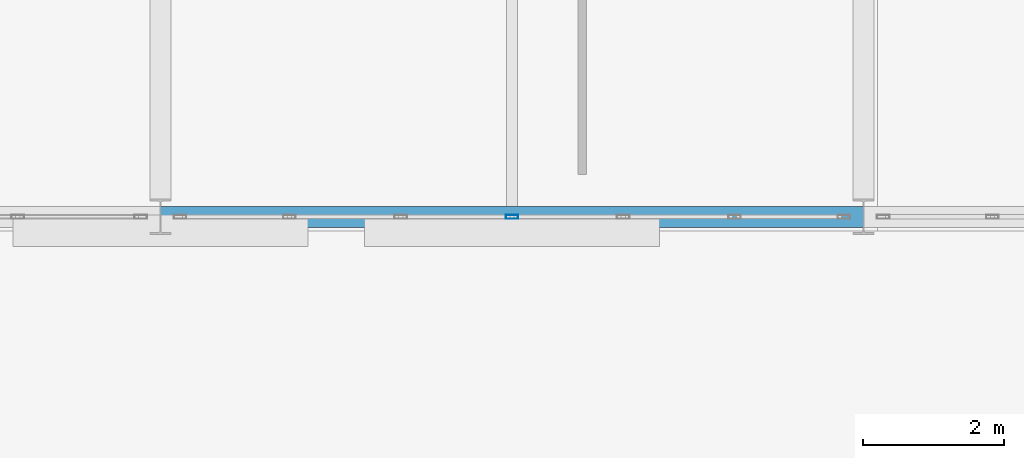
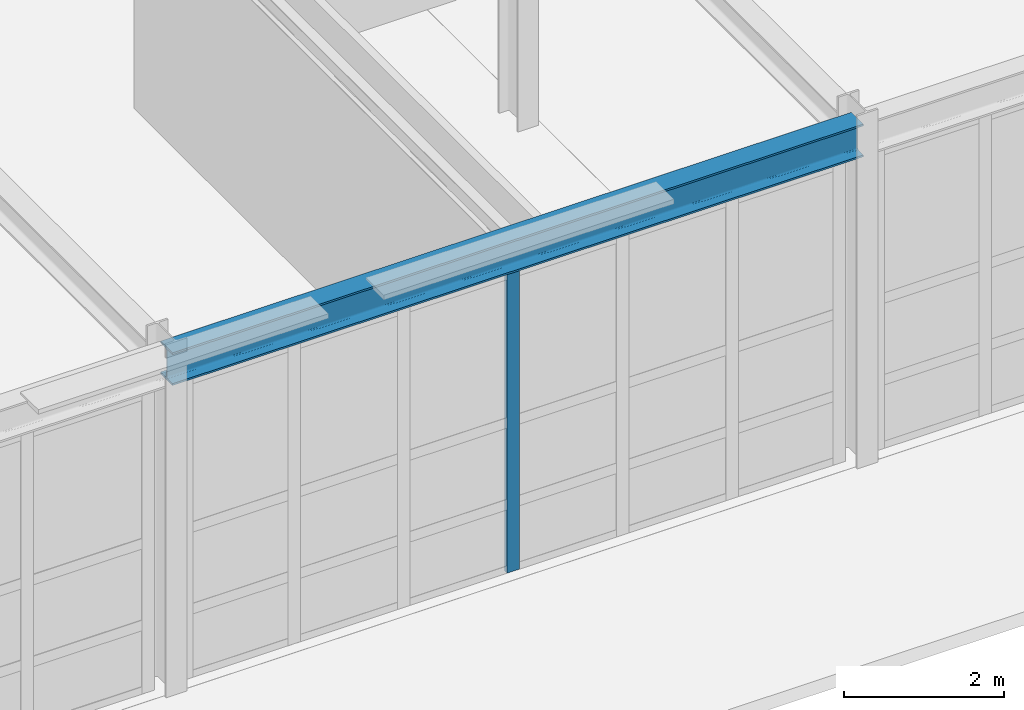
# One storey, part 93 of 210: 1 beam, 1 member, 1 element without a shape of its own.
"""IFC4 building model written with IfcOpenShell, lengths in metres."""

from ifc_helpers import new_model, si_unit, direction, frame, origin, origin_2d, place, context, subcontext, project, spatial, hollow_rectangle, i_section, extrude, material, material_profile, profile_set, type_object, element, aggregate, save


model = new_model("IFC4")

# Units and contexts
model_context = context("Model", 3, precision=1e-05, world=origin(), true_north=direction((0.0, 1.0)))
body_context = subcontext(model_context, "Body", "Model", "MODEL_VIEW")
ifc_project = project(units=[si_unit("LENGTHUNIT", "METRE"), si_unit("AREAUNIT", "SQUARE_METRE"), si_unit("VOLUMEUNIT", "CUBIC_METRE"), si_unit("PLANEANGLEUNIT", "RADIAN"), si_unit("MASSUNIT", "GRAM", prefix="KILO")], contexts=[model_context])

# Site, building, storey
site_placement = place(None, origin())
site = spatial("IfcSite", under=ifc_project, at=site_placement, CompositionType="ELEMENT")
building_placement = place(site_placement, origin())
building = spatial("IfcBuilding", under=site, at=building_placement, Name="Kaldris Quays Convention Centre", CompositionType="ELEMENT")
storey_placement = place(building_placement, frame((0.0, 0.0, 6.0)))
storey = spatial("IfcBuildingStorey", under=building, at=storey_placement, Name="L01", CompositionType="ELEMENT", Elevation=6.0)

# Curtain wall, member
ifc_material_1 = material(Name="Anodized aluminium AW-6060 and triple glazing", Category="aluminium")
curtain_wall_type = type_object("IfcCurtainWallType", Name="UNITISED CURTAIN WALL CW02", PredefinedType="NOTDEFINED", material=ifc_material_1)
curtain_wall_placement = place(storey_placement, origin())
curtain_wall = element("IfcCurtainWall", 1, at=curtain_wall_placement, inside=storey, type_object=curtain_wall_type, Name="L01 Unitised Curtain Wall CW02 189", PredefinedType="NOTDEFINED")
ifc_material_2 = material(Name="Anodized aluminium AW-6060", Category="aluminium")
ifc_material_profile_1 = material_profile(ifc_material_2, hollow_rectangle(XDim=0.06005859375, YDim=0.179931640625, WallThickness=0.0048828125, at=origin_2d()), Name="RHS 180x60x5")
ifc_profile_set_1 = profile_set([ifc_material_profile_1], Name="Anodized aluminium AW-6060")
member_type = type_object("IfcMemberType", Name="CURTAIN MULLION CWM2", PredefinedType="MULLION", material=ifc_profile_set_1)
member_placement = place(storey_placement, frame((179.0, 20.0, 0.0), z_axis=(0.0, 0.0, 1.0), x_axis=(0.0, 1.0, 0.0)))
member = element("IfcMember", 2, at=member_placement, type_object=member_type, Name="CW02 mullion 4", PredefinedType="MULLION", context=body_context, shape_type="SweptSolid", body=[
    extrude(hollow_rectangle(XDim=0.06005859375, YDim=0.179931640625, WallThickness=0.0048828125, at=origin_2d()), origin(), (0.0, 0.0, 1.0), 4.60009765625),
])
aggregate(curtain_wall, [member])

# Beam
ifc_material_3 = material(Name="Steel S355J2", Category="steel")
ifc_material_profile_2 = material_profile(ifc_material_3, i_section(OverallWidth=0.300048828125, OverallDepth=0.5, WebThickness=0.014404296875, FlangeThickness=0.028076171875, FilletRadius=0.027099609375, at=origin_2d()), Name="HEB 500")
ifc_profile_set_2 = profile_set([ifc_material_profile_2], Name="Steel S355J2")
beam_type = type_object("IfcBeamType", Name="STRUCTURAL BEAM BM06", PredefinedType="BEAM", material=ifc_profile_set_2)
beam_placement = place(storey_placement, frame((174.001220703125, 20.0, 4.9130859375), z_axis=(1.0, 0.0, 0.0), x_axis=(0.0, 1.0, 0.0)))
element("IfcBeam", 3, at=beam_placement, inside=storey, type_object=beam_type, Name="L01 Girder BM06 3", PredefinedType="BEAM", context=body_context, shape_type="SweptSolid", body=[
    extrude(i_section(OverallWidth=0.300048828125, OverallDepth=0.5, WebThickness=0.014404296875, FlangeThickness=0.028076171875, FilletRadius=0.027099609375, at=origin_2d()), origin(), (0.0, 0.0, 1.0), 9.99755859375),
])

save(model, "model.ifc")
